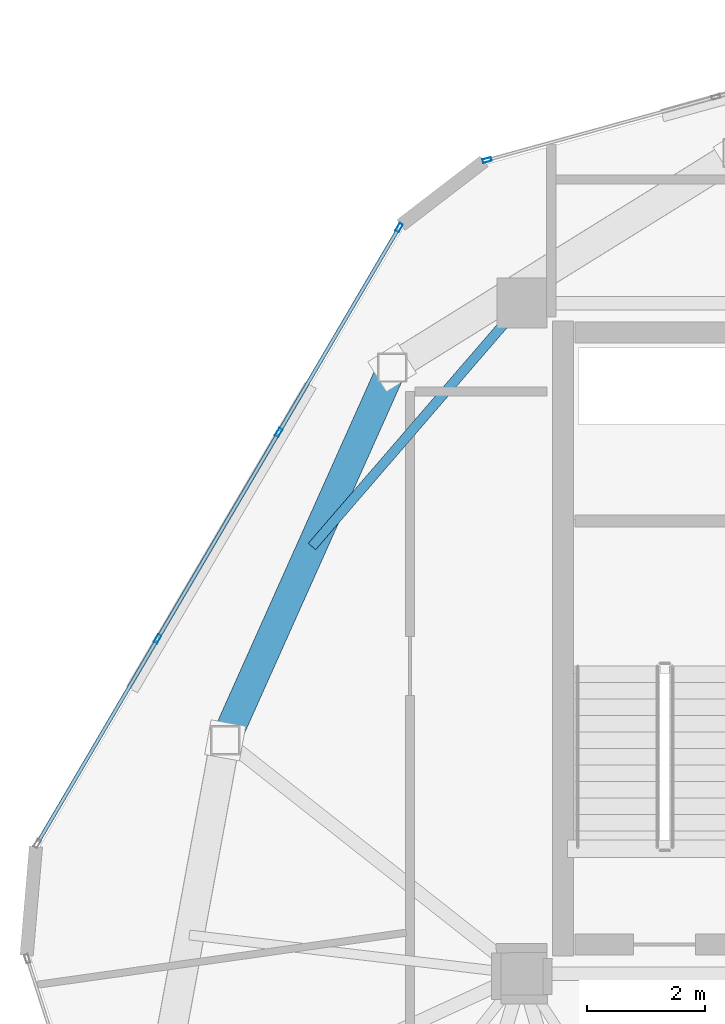
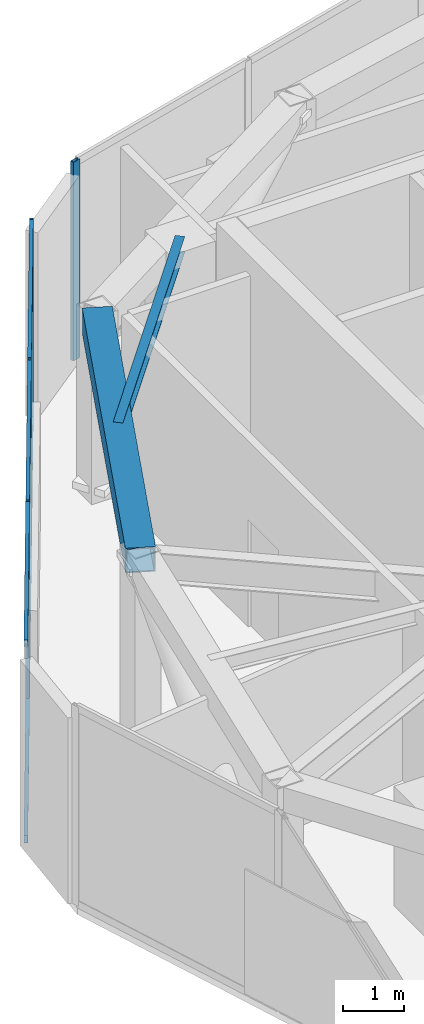
# One storey, part 8 of 19: 10 members, 2 beams, 2 elements without a shape of their own.
"""IFC4 building model written with IfcOpenShell, lengths in metres."""

from ifc_helpers import new_model, si_unit, direction, frame, origin, origin_2d, place, context, subcontext, project, spatial, hollow_rectangle, i_section, extrude, source, transform, mapped, material, layer, layer_set, material_profile, profile_set, type_object, type_shapes, element, aggregate, save


model = new_model("IFC4")

# Units and contexts
model_context = context("Model", 3, precision=1e-05, world=origin(), true_north=direction((0.0, 1.0)))
body_context = subcontext(model_context, "Body", "Model", "MODEL_VIEW")
ifc_project = project(units=[si_unit("LENGTHUNIT", "METRE"), si_unit("AREAUNIT", "SQUARE_METRE"), si_unit("VOLUMEUNIT", "CUBIC_METRE"), si_unit("PLANEANGLEUNIT", "RADIAN"), si_unit("MASSUNIT", "GRAM", prefix="KILO")], contexts=[model_context])

# Site, building, storey
site_placement = place(None, origin())
site = spatial("IfcSite", under=ifc_project, at=site_placement, CompositionType="ELEMENT")
building_placement = place(site_placement, origin())
building = spatial("IfcBuilding", under=site, at=building_placement, Name="Talar Marvaseh", CompositionType="ELEMENT")
storey_placement = place(building_placement, frame((0.0, 0.0, 296.0)))
storey = spatial("IfcBuildingStorey", under=building, at=storey_placement, Name="L79", CompositionType="ELEMENT", Elevation=296.0)

# Beams
ifc_material_1 = material(Name="Steel S460", Category="steel")
ifc_material_profile_1 = material_profile(ifc_material_1, hollow_rectangle(XDim=0.5, YDim=0.5, WallThickness=0.02490234375, at=origin_2d()), Name="BOX500x500x25")
ifc_profile_set_1 = profile_set([ifc_material_profile_1], Name="Steel S460")
beam_type_1 = type_object("IfcBeamType", Name="Crown Frame Top Ring Beam BOX500x500x25", PredefinedType="BEAM", material=ifc_profile_set_1)
beam_1_placement = place(storey_placement, frame((13.657958984375, 29.469970703125, 3.489990234375), z_axis=(0.408486346803, 0.912764429892, 0.0), x_axis=(-0.912764429892, 0.408486346803, 0.0)))
element("IfcBeam", 1, at=beam_1_placement, inside=storey, type_object=beam_type_1, Name="L79 Crown Frame Top Ring Beam BOX500x500x25", PredefinedType="BEAM", context=body_context, shape_type="SweptSolid", body=[
    extrude(hollow_rectangle(XDim=0.5, YDim=0.5, WallThickness=0.02490234375, at=origin_2d()), origin(), (0.0, 0.0, 1.0), 6.942626953125),
])
ifc_material_2 = material(Name="Steel S355", Category="steel")
ifc_material_profile_2 = material_profile(ifc_material_2, i_section(OverallWidth=0.166015625, OverallDepth=0.31298828125, WebThickness=0.006591796875, FlangeThickness=0.01123046875, at=origin_2d()), Name="W310x45")
ifc_profile_set_2 = profile_set([ifc_material_profile_2], Name="Steel S355")
beam_type_2 = type_object("IfcBeamType", Name="Zone 3 Secondary Floor Joist W310x45", PredefinedType="JOIST", material=ifc_profile_set_2)
beam_2_placement = place(storey_placement, frame((15.1328125, 32.76513671875, 3.58349609375), z_axis=(0.653221697747, 0.757166701323, 0.0), x_axis=(-0.757166701323, 0.653221697747, 0.0)))
element("IfcBeam", 2, at=beam_2_placement, inside=storey, type_object=beam_type_2, Name="L79 Zone 3 Secondary Floor Joist W310x45", PredefinedType="JOIST", context=body_context, shape_type="SweptSolid", body=[
    extrude(i_section(OverallWidth=0.166015625, OverallDepth=0.31298828125, WebThickness=0.006591796875, FlangeThickness=0.01123046875, at=origin_2d()), origin(), (0.0, 0.0, 1.0), 5.4609375),
])

# Curtain wall, members
ifc_material_3 = material(Name="Architectural Aluminium", Category="aluminium")
ifc_layer = layer(ifc_material_3, 0.2099609375)
ifc_layer_set = layer_set([ifc_layer], Name="Architectural Aluminium")
curtain_wall_type = type_object("IfcCurtainWallType", Name="Crown Plant Acoustic Spandrel Curtain Wall", PredefinedType="NOTDEFINED", material=ifc_layer_set)
curtain_wall_1_placement = place(storey_placement, origin())
curtain_wall_1 = element("IfcCurtainWall", 3, at=curtain_wall_1_placement, inside=storey, type_object=curtain_wall_type, Name="L79 Crown Plant Acoustic Spandrel Curtain Wall", PredefinedType="NOTDEFINED")
ifc_material_profile_3 = material_profile(ifc_material_3, hollow_rectangle(XDim=0.06494140625, YDim=0.14990234375, WallThickness=0.00390625, at=origin_2d()), Name="RHS150x65x4")
ifc_profile_set_3 = profile_set([ifc_material_profile_3], Name="Architectural Aluminium")
member_type_1 = type_object("IfcMemberType", Name="Unitised Curtain Wall Slim Transom RHS150x65x4", PredefinedType="USERDEFINED", material=ifc_profile_set_3)
shared_shape_1 = source(origin(), body_context, "Body", "SweptSolid", [
    extrude(hollow_rectangle(XDim=0.06494140625, YDim=0.14990234375, WallThickness=0.00390625, at=origin_2d()), origin(), (0.0, 0.0, 1.0), 3.97119140625),
])
member_1_placement = place(storey_placement, frame((14.585693359375, 34.731689453125, 0.032470703125), z_axis=(0.506517627293, 0.862229605872, 0.0), x_axis=(-0.862229605872, 0.506517627293, 0.0)))
member_1 = element("IfcMember", 4, at=member_1_placement, type_object=member_type_1, Name="CW-CRN transom 3.1", ObjectType="TRANSOM", PredefinedType="USERDEFINED", context=body_context, shape_type="MappedRepresentation", body=[
    mapped(shared_shape_1, transform((0.0, 0.0, 0.0), x_axis=(1.0, 0.0, 0.0), y_axis=(0.0, 1.0, 0.0), z_axis=(0.0, 0.0, 1.0), scale=1.0)),
])
member_2_placement = place(storey_placement, frame((14.585693359375, 34.731689453125, 3.967529296875), z_axis=(0.506517627293, 0.862229605872, 0.0), x_axis=(-0.862229605872, 0.506517627293, 0.0)))
member_2 = element("IfcMember", 5, at=member_2_placement, type_object=member_type_1, Name="CW-CRN transom 3.2", ObjectType="TRANSOM", PredefinedType="USERDEFINED", context=body_context, shape_type="MappedRepresentation", body=[
    mapped(shared_shape_1, transform((0.0, 0.0, 0.0), x_axis=(1.0, 0.0, 0.0), y_axis=(0.0, 1.0, 0.0), z_axis=(0.0, 0.0, 1.0), scale=1.0)),
])
shared_shape_2 = source(origin(), body_context, "Body", "SweptSolid", [
    extrude(hollow_rectangle(XDim=0.06494140625, YDim=0.14990234375, WallThickness=0.00390625, at=origin_2d()), origin(), (0.0, 0.0, 1.0), 4.003662109375),
])
member_3_placement = place(storey_placement, frame((12.52490234375, 31.2236328125, 0.032470703125), z_axis=(0.506492382096, 0.86224443569, 0.0), x_axis=(-0.86224443569, 0.506492382096, 0.0)))
member_3 = element("IfcMember", 6, at=member_3_placement, type_object=member_type_1, Name="CW-CRN transom 2.1", ObjectType="TRANSOM", PredefinedType="USERDEFINED", context=body_context, shape_type="MappedRepresentation", body=[
    mapped(shared_shape_2, transform((0.0, 0.0, 0.0), x_axis=(1.0, 0.0, 0.0), y_axis=(0.0, 1.0, 0.0), z_axis=(0.0, 0.0, 1.0), scale=1.0)),
])
member_4_placement = place(storey_placement, frame((12.52490234375, 31.2236328125, 3.967529296875), z_axis=(0.506492382096, 0.86224443569, 0.0), x_axis=(-0.86224443569, 0.506492382096, 0.0)))
member_4 = element("IfcMember", 7, at=member_4_placement, type_object=member_type_1, Name="CW-CRN transom 2.2", ObjectType="TRANSOM", PredefinedType="USERDEFINED", context=body_context, shape_type="MappedRepresentation", body=[
    mapped(shared_shape_2, transform((0.0, 0.0, 0.0), x_axis=(1.0, 0.0, 0.0), y_axis=(0.0, 1.0, 0.0), z_axis=(0.0, 0.0, 1.0), scale=1.0)),
])
shared_shape_3 = source(origin(), body_context, "Body", "SweptSolid", [
    extrude(hollow_rectangle(XDim=0.06494140625, YDim=0.14990234375, WallThickness=0.00390625, at=origin_2d()), origin(), (0.0, 0.0, 1.0), 3.970947265625),
])
type_shapes(member_type_1, [shared_shape_1, shared_shape_2, shared_shape_3])
member_5_placement = place(storey_placement, frame((10.48046875, 27.74365234375, 0.032470703125), z_axis=(0.506544478054, 0.862213831803, 0.0), x_axis=(-0.862213831803, 0.506544478054, 0.0)))
member_5 = element("IfcMember", 8, at=member_5_placement, type_object=member_type_1, Name="CW-CRN transom 1.1", ObjectType="TRANSOM", PredefinedType="USERDEFINED", context=body_context, shape_type="MappedRepresentation", body=[
    mapped(shared_shape_3, transform((0.0, 0.0, 0.0), x_axis=(1.0, 0.0, 0.0), y_axis=(0.0, 1.0, 0.0), z_axis=(0.0, 0.0, 1.0), scale=1.0)),
])
member_6_placement = place(storey_placement, frame((10.48046875, 27.74365234375, 3.967529296875), z_axis=(0.506544478054, 0.862213831803, 0.0), x_axis=(-0.862213831803, 0.506544478054, 0.0)))
member_6 = element("IfcMember", 9, at=member_6_placement, type_object=member_type_1, Name="CW-CRN transom 1.2", ObjectType="TRANSOM", PredefinedType="USERDEFINED", context=body_context, shape_type="MappedRepresentation", body=[
    mapped(shared_shape_3, transform((0.0, 0.0, 0.0), x_axis=(1.0, 0.0, 0.0), y_axis=(0.0, 1.0, 0.0), z_axis=(0.0, 0.0, 1.0), scale=1.0)),
])
ifc_material_profile_4 = material_profile(ifc_material_3, hollow_rectangle(XDim=0.06494140625, YDim=0.14990234375, WallThickness=0.00390625, at=origin_2d()), Name="RHS150x65x4")
ifc_profile_set_4 = profile_set([ifc_material_profile_4], Name="Architectural Aluminium")
member_type_2 = type_object("IfcMemberType", Name="Unitised Curtain Wall Slim Mullion RHS150x65x4", PredefinedType="MULLION", material=ifc_profile_set_4)
shared_shape_4 = source(origin(), body_context, "Body", "SweptSolid", [
    extrude(hollow_rectangle(XDim=0.06494140625, YDim=0.14990234375, WallThickness=0.00390625, at=origin_2d()), origin(), (0.0, 0.0, 1.0), 4.0),
])
type_shapes(member_type_2, [shared_shape_4])
member_7_placement = place(storey_placement, frame((12.50830078125, 31.195556640625, 0.0), z_axis=(0.0, 0.0, 1.0), x_axis=(-0.862229976306, 0.506516996713, 0.0)))
member_7 = element("IfcMember", 10, at=member_7_placement, type_object=member_type_2, Name="CW-CRN mullion 2", PredefinedType="MULLION", context=body_context, shape_type="MappedRepresentation", body=[
    mapped(shared_shape_4, transform((0.0, 0.0, 0.0), x_axis=(1.0, 0.0, 0.0), y_axis=(0.0, 1.0, 0.0), z_axis=(0.0, 0.0, 1.0), scale=1.0)),
])
member_8_placement = place(storey_placement, frame((14.569091796875, 34.70361328125, 0.0), z_axis=(0.0, 0.0, 1.0), x_axis=(-0.862229976306, 0.506516996713, 0.0)))
member_8 = element("IfcMember", 11, at=member_8_placement, type_object=member_type_2, Name="CW-CRN mullion 3", PredefinedType="MULLION", context=body_context, shape_type="MappedRepresentation", body=[
    mapped(shared_shape_4, transform((0.0, 0.0, 0.0), x_axis=(1.0, 0.0, 0.0), y_axis=(0.0, 1.0, 0.0), z_axis=(0.0, 0.0, 1.0), scale=1.0)),
])
member_9_placement = place(storey_placement, frame((16.613525390625, 38.183837890625, 0.0), z_axis=(0.0, 0.0, 1.0), x_axis=(-0.862229976306, 0.506516996713, 0.0)))
member_9 = element("IfcMember", 12, at=member_9_placement, type_object=member_type_2, Name="CW-CRN mullion 4", PredefinedType="MULLION", context=body_context, shape_type="MappedRepresentation", body=[
    mapped(shared_shape_4, transform((0.0, 0.0, 0.0), x_axis=(1.0, 0.0, 0.0), y_axis=(0.0, 1.0, 0.0), z_axis=(0.0, 0.0, 1.0), scale=1.0)),
])
aggregate(curtain_wall_1, [member_7, member_8, member_9, member_5, member_6, member_3, member_4, member_1, member_2])

# Curtain wall, member
curtain_wall_2_placement = place(storey_placement, origin())
curtain_wall_2 = element("IfcCurtainWall", 13, at=curtain_wall_2_placement, inside=storey, type_object=curtain_wall_type, Name="L79 Crown Plant Acoustic Spandrel Curtain Wall", PredefinedType="NOTDEFINED")
member_10_placement = place(storey_placement, frame((18.109619140625, 39.331787109375, 0.0), z_axis=(0.0, 0.0, 1.0), x_axis=(-0.266091499978, 0.963947775369, 0.0)))
member_10 = element("IfcMember", 14, at=member_10_placement, type_object=member_type_2, Name="CW-CRN mullion 1", PredefinedType="MULLION", context=body_context, shape_type="MappedRepresentation", body=[
    mapped(shared_shape_4, transform((0.0, 0.0, 0.0), x_axis=(1.0, 0.0, 0.0), y_axis=(0.0, 1.0, 0.0), z_axis=(0.0, 0.0, 1.0), scale=1.0)),
])
aggregate(curtain_wall_2, [member_10])

save(model, "model.ifc")
